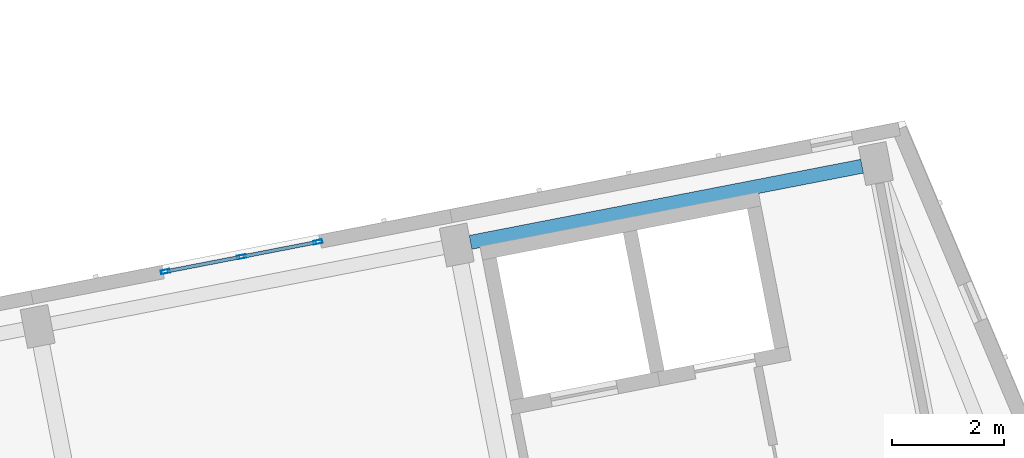
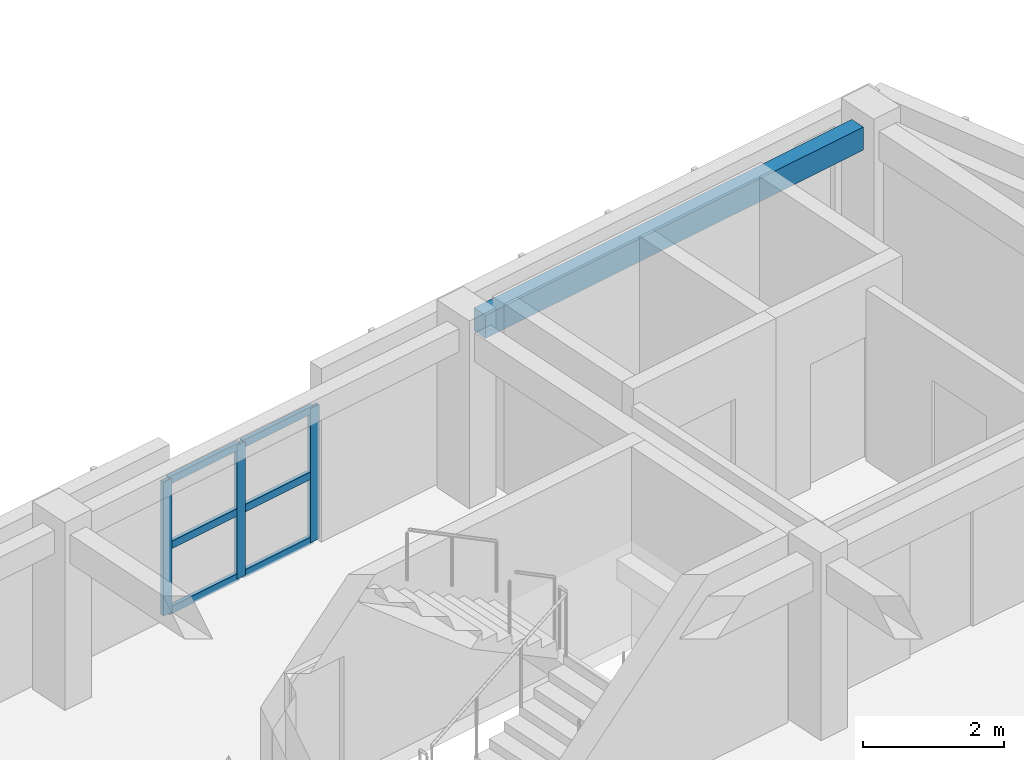
# One storey, part 11 of 74: 9 members, 1 beam, 1 element without a shape of its own.
"""IFC4 building model written with IfcOpenShell, lengths in metres."""

from ifc_helpers import new_model, si_unit, direction, frame, origin, origin_2d, place, context, subcontext, project, spatial, rectangle, hollow_rectangle, extrude, material, material_profile, profile_set, type_object, element, aggregate, save


model = new_model("IFC4")

# Units and contexts
model_context = context("Model", 3, precision=1e-05, world=origin(), true_north=direction((0.0, 1.0)))
body_context = subcontext(model_context, "Body", "Model", "MODEL_VIEW")
ifc_project = project(units=[si_unit("LENGTHUNIT", "METRE"), si_unit("AREAUNIT", "SQUARE_METRE"), si_unit("VOLUMEUNIT", "CUBIC_METRE"), si_unit("PLANEANGLEUNIT", "RADIAN"), si_unit("MASSUNIT", "GRAM", prefix="KILO")], contexts=[model_context])

# Site, building, storey
site_placement = place(None, origin())
site = spatial("IfcSite", under=ifc_project, at=site_placement, CompositionType="ELEMENT")
building_placement = place(site_placement, origin())
building = spatial("IfcBuilding", under=site, at=building_placement, Name="Kestramere Prow Commons", CompositionType="ELEMENT")
storey_placement = place(building_placement, frame((0.0, 0.0, 11.64990234375)))
storey = spatial("IfcBuildingStorey", under=building, at=storey_placement, Name="L03", CompositionType="ELEMENT", Elevation=11.64990234375)

# Curtain wall, members
ifc_material_1 = material(Name="Anodised Aluminium and Low-E Glass", Category="aluminium")
curtain_wall_type = type_object("IfcCurtainWallType", Name="CW-03 Glazed Curtain Wall 2830x2320", PredefinedType="USERDEFINED", material=ifc_material_1)
curtain_wall_placement = place(storey_placement, origin())
curtain_wall = element("IfcCurtainWall", 1, at=curtain_wall_placement, inside=storey, type_object=curtain_wall_type, Name="Block D L03 Stairwell Vertical Glazing 5", ObjectType="GLAZED CURTAIN WALL", PredefinedType="USERDEFINED")
ifc_material_2 = material(Name="Anodised Aluminium 6063-T6", Category="aluminium")
ifc_material_profile_1 = material_profile(ifc_material_2, hollow_rectangle(XDim=0.06494140625, YDim=0.159912109375, WallThickness=0.00390625, at=origin_2d()), Name="ALU-MUL 65x160")
ifc_profile_set_1 = profile_set([ifc_material_profile_1], Name="Anodised Aluminium 6063-T6")
member_type_1 = type_object("IfcMemberType", Name="CW-MUL-65x160", PredefinedType="MULLION", material=ifc_profile_set_1)
member_1_placement = place(storey_placement, frame((146.7744140625, 60.01708984375, 0.0), z_axis=(0.0, 0.0, 1.0), x_axis=(-0.190808835118, 0.981627214599, 0.0)))
member_1 = element("IfcMember", 2, at=member_1_placement, type_object=member_type_1, Name="CW-03 mullion 1", PredefinedType="MULLION", context=body_context, shape_type="SweptSolid", body=[
    extrude(hollow_rectangle(XDim=0.06494140625, YDim=0.159912109375, WallThickness=0.00390625, at=origin_2d()), origin(), (0.0, 0.0, 1.0), 2.320068359375),
])
member_2_placement = place(storey_placement, frame((148.131591796875, 60.281005859375, 0.0), z_axis=(0.0, 0.0, 1.0), x_axis=(-0.190808835118, 0.981627214599, 0.0)))
member_2 = element("IfcMember", 3, at=member_2_placement, type_object=member_type_1, Name="CW-03 mullion 2", PredefinedType="MULLION", context=body_context, shape_type="SweptSolid", body=[
    extrude(hollow_rectangle(XDim=0.06494140625, YDim=0.159912109375, WallThickness=0.00390625, at=origin_2d()), origin(), (0.0, 0.0, 1.0), 2.320068359375),
])
member_3_placement = place(storey_placement, frame((149.48876953125, 60.544677734375, 0.0), z_axis=(0.0, 0.0, 1.0), x_axis=(-0.190808835118, 0.981627214599, 0.0)))
member_3 = element("IfcMember", 4, at=member_3_placement, type_object=member_type_1, Name="CW-03 mullion 3", PredefinedType="MULLION", context=body_context, shape_type="SweptSolid", body=[
    extrude(hollow_rectangle(XDim=0.06494140625, YDim=0.159912109375, WallThickness=0.00390625, at=origin_2d()), origin(), (0.0, 0.0, 1.0), 2.320068359375),
])
ifc_material_profile_2 = material_profile(ifc_material_2, hollow_rectangle(XDim=0.06494140625, YDim=0.1298828125, WallThickness=0.00390625, at=origin_2d()), Name="ALU-TRN 65x130")
ifc_profile_set_2 = profile_set([ifc_material_profile_2], Name="Anodised Aluminium 6063-T6")
member_type_2 = type_object("IfcMemberType", Name="CW-TRN-65x130", PredefinedType="USERDEFINED", material=ifc_profile_set_2)
member_4_placement = place(storey_placement, frame((146.806396484375, 60.0234375, 0.03271484375), z_axis=(0.981649131804, 0.190696046182, 0.0), x_axis=(-0.190696046182, 0.981649131804, 0.0)))
member_4 = element("IfcMember", 5, at=member_4_placement, type_object=member_type_2, Name="CW-03 transom 1.1", ObjectType="TRANSOM", PredefinedType="USERDEFINED", context=body_context, shape_type="SweptSolid", body=[
    extrude(hollow_rectangle(XDim=0.06494140625, YDim=0.1298828125, WallThickness=0.00390625, at=origin_2d()), origin(), (0.0, 0.0, 1.0), 1.3173828125),
])
member_5_placement = place(storey_placement, frame((146.806396484375, 60.0234375, 1.16015625), z_axis=(0.981649131804, 0.190696046182, 0.0), x_axis=(-0.190696046182, 0.981649131804, 0.0)))
member_5 = element("IfcMember", 6, at=member_5_placement, type_object=member_type_2, Name="CW-03 transom 1.2", ObjectType="TRANSOM", PredefinedType="USERDEFINED", context=body_context, shape_type="SweptSolid", body=[
    extrude(hollow_rectangle(XDim=0.06494140625, YDim=0.1298828125, WallThickness=0.00390625, at=origin_2d()), origin(), (0.0, 0.0, 1.0), 1.3173828125),
])
member_6_placement = place(storey_placement, frame((146.806396484375, 60.0234375, 2.28759765625), z_axis=(0.981649131804, 0.190696046182, 0.0), x_axis=(-0.190696046182, 0.981649131804, 0.0)))
member_6 = element("IfcMember", 7, at=member_6_placement, type_object=member_type_2, Name="CW-03 transom 1.3", ObjectType="TRANSOM", PredefinedType="USERDEFINED", context=body_context, shape_type="SweptSolid", body=[
    extrude(hollow_rectangle(XDim=0.06494140625, YDim=0.1298828125, WallThickness=0.00390625, at=origin_2d()), origin(), (0.0, 0.0, 1.0), 1.3173828125),
])
member_7_placement = place(storey_placement, frame((148.16357421875, 60.287109375, 0.03271484375), z_axis=(0.981614425191, 0.190874619208, 0.0), x_axis=(-0.190874619208, 0.981614425191, 0.0)))
member_7 = element("IfcMember", 8, at=member_7_placement, type_object=member_type_2, Name="CW-03 transom 2.1", ObjectType="TRANSOM", PredefinedType="USERDEFINED", context=body_context, shape_type="SweptSolid", body=[
    extrude(hollow_rectangle(XDim=0.06494140625, YDim=0.1298828125, WallThickness=0.00390625, at=origin_2d()), origin(), (0.0, 0.0, 1.0), 1.3173828125),
])
member_8_placement = place(storey_placement, frame((148.16357421875, 60.287109375, 1.16015625), z_axis=(0.981614425191, 0.190874619208, 0.0), x_axis=(-0.190874619208, 0.981614425191, 0.0)))
member_8 = element("IfcMember", 9, at=member_8_placement, type_object=member_type_2, Name="CW-03 transom 2.2", ObjectType="TRANSOM", PredefinedType="USERDEFINED", context=body_context, shape_type="SweptSolid", body=[
    extrude(hollow_rectangle(XDim=0.06494140625, YDim=0.1298828125, WallThickness=0.00390625, at=origin_2d()), origin(), (0.0, 0.0, 1.0), 1.3173828125),
])
member_9_placement = place(storey_placement, frame((148.16357421875, 60.287109375, 2.28759765625), z_axis=(0.981614425191, 0.190874619208, 0.0), x_axis=(-0.190874619208, 0.981614425191, 0.0)))
member_9 = element("IfcMember", 10, at=member_9_placement, type_object=member_type_2, Name="CW-03 transom 2.3", ObjectType="TRANSOM", PredefinedType="USERDEFINED", context=body_context, shape_type="SweptSolid", body=[
    extrude(hollow_rectangle(XDim=0.06494140625, YDim=0.1298828125, WallThickness=0.00390625, at=origin_2d()), origin(), (0.0, 0.0, 1.0), 1.3173828125),
])
aggregate(curtain_wall, [member_1, member_2, member_3, member_4, member_5, member_6, member_7, member_8, member_9])

# Beam
ifc_material_3 = material(Name="Precast concrete C40/50", Category="concrete")
ifc_material_profile_3 = material_profile(ifc_material_3, rectangle(XDim=0.25, YDim=0.39990234375, at=origin_2d()), Name="PC-SP 250x400")
ifc_profile_set_3 = profile_set([ifc_material_profile_3], Name="Precast concrete C40/50")
beam_type = type_object("IfcBeamType", Name="SP-EXT-01 PC-SP 250x400", PredefinedType="SPANDREL", material=ifc_profile_set_3)
beam_placement = place(storey_placement, frame((152.207275390625, 60.538330078125, 2.800048828125), z_axis=(0.98162827229, 0.190803393686, 0.0), x_axis=(-0.190803393686, 0.98162827229, 0.0)))
element("IfcBeam", 11, at=beam_placement, inside=storey, type_object=beam_type, Name="Block D L03 Longitudinal Beam 4-6", PredefinedType="SPANDREL", context=body_context, shape_type="SweptSolid", body=[
    extrude(rectangle(XDim=0.25, YDim=0.39990234375, at=origin_2d()), origin(), (0.0, 0.0, 1.0), 7.10009765625),
])

save(model, "model.ifc")
